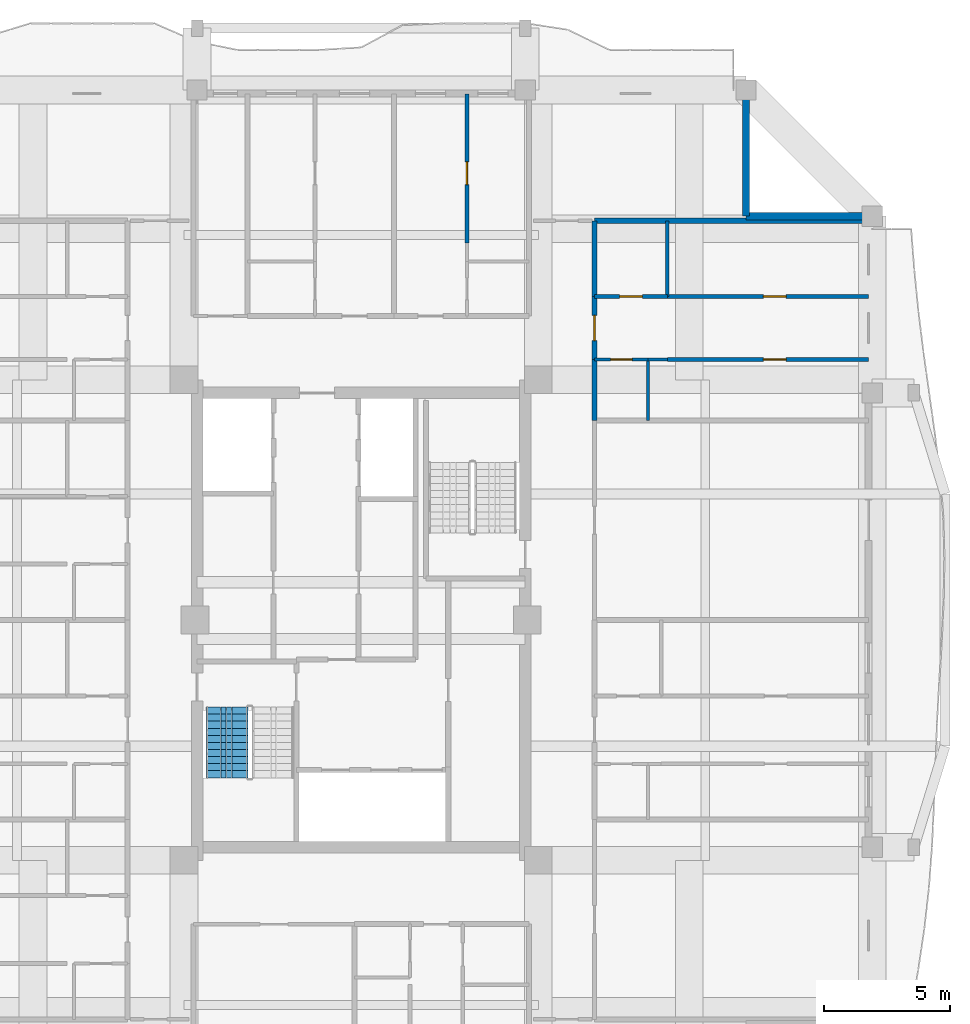
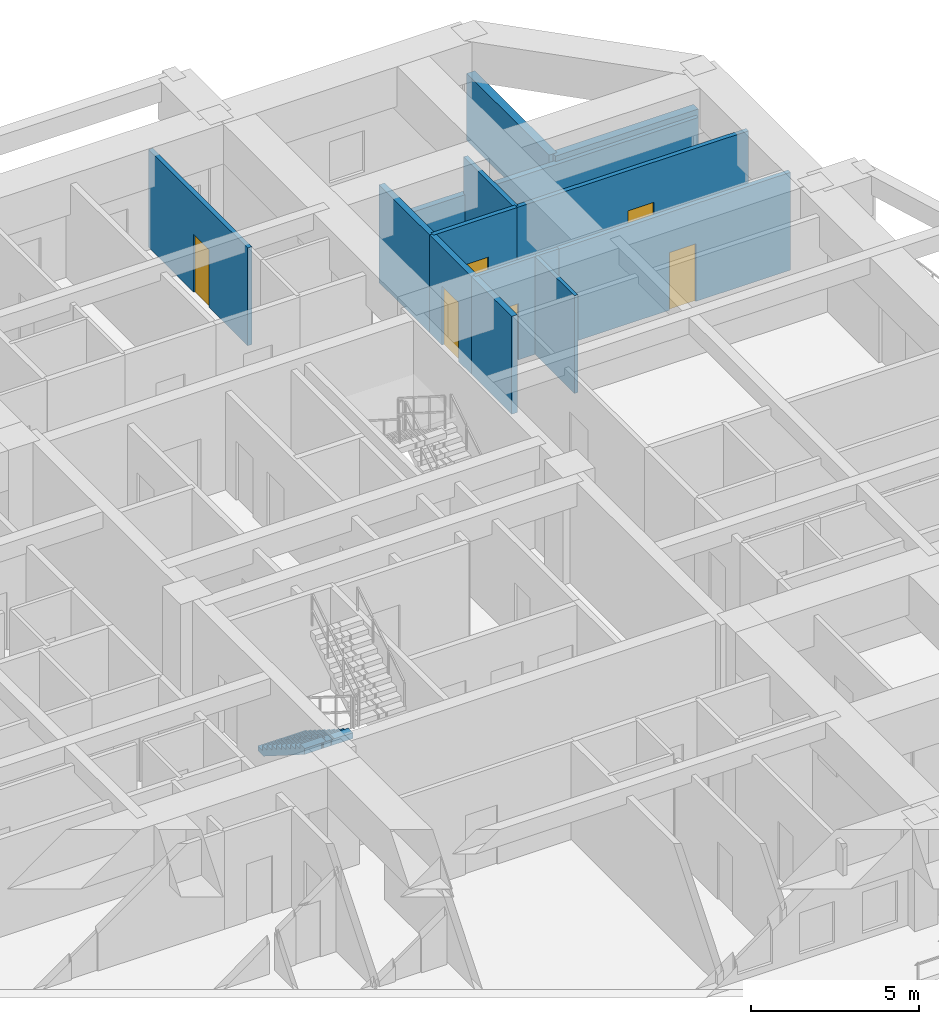
# One storey, part 7 of 13: 14 walls, 6 doors, 1 stair flight, 6 openings, 1 element without a shape of its own.
"""IFC4 building model written with IfcOpenShell, lengths in metres."""

from ifc_helpers import new_model, si_unit, direction, frame, frame_2d, origin, place, context, subcontext, project, spatial, polyline, rectangle, outline, extrude, source, transform, mapped, material, layer, layer_set, type_object, element, fill, aggregate, save


model = new_model("IFC4")

# Units and contexts
model_context = context("Model", 3, precision=1e-05, world=origin(), true_north=direction((0.0, 1.0)))
body_context = subcontext(model_context, "Body", "Model", "MODEL_VIEW")
ifc_project = project(units=[si_unit("LENGTHUNIT", "METRE"), si_unit("AREAUNIT", "SQUARE_METRE"), si_unit("VOLUMEUNIT", "CUBIC_METRE"), si_unit("PLANEANGLEUNIT", "RADIAN"), si_unit("MASSUNIT", "GRAM", prefix="KILO")], contexts=[model_context])

# Site, building, storey
site_placement = place(None, origin())
site = spatial("IfcSite", under=ifc_project, at=site_placement, CompositionType="ELEMENT")
building_placement = place(site_placement, origin())
building = spatial("IfcBuilding", under=site, at=building_placement, Name="Saelheon Loggia Tower", CompositionType="ELEMENT")
storey_placement = place(building_placement, frame((0.0, 0.0, 192.699951171875)))
storey = spatial("IfcBuildingStorey", under=building, at=storey_placement, Name="L60", CompositionType="ELEMENT", Elevation=192.699951171875)

# Walls
ifc_material_1 = material(Name="Architectural Precast Concrete C40/50", Category="concrete")
ifc_layer_1 = layer(ifc_material_1, 0.280029296875)
ifc_layer_set_1 = layer_set([ifc_layer_1], Name="Architectural Precast Concrete C40/50")
wall_type_1 = type_object("IfcWallType", Name="Wall_Ext_Loggia_280", PredefinedType="SOLIDWALL", material=ifc_layer_set_1)
for number, where, z_axis, x_axis, name in (
    (1, (53.25, 43.0, 0.0), (0.0, 0.0, 1.0), (0.0, 1.0, 0.0), "L60 Corner Notch Precast Wall NE1"),
    (2, (53.25, 43.0, 0.0), (0.0, 0.0, 1.0), (1.0, 0.0, 0.0), "L60 Corner Notch Precast Wall NE2"),
):
    element("IfcWall", number, at=place(storey_placement, frame(where, z_axis=z_axis, x_axis=x_axis)), inside=storey, type_object=wall_type_1, Name=name, PredefinedType="SOLIDWALL", context=body_context, shape_type="SweptSolid", body=[
        extrude(rectangle(XDim=4.919921875, YDim=0.280029296875, at=frame_2d((2.4599609375, 0.0))), origin(), (0.0, 0.0, 1.0), 2.43994140625),
    ])

# Wall, opening, door
ifc_material_2 = material(Name="Lightweight Autoclaved Aerated Concrete Block and Acoustic Gypsum", Category="concrete")
ifc_layer_2 = layer(ifc_material_2, 0.14990234375)
ifc_layer_set_2 = layer_set([ifc_layer_2], Name="Lightweight Autoclaved Aerated Concrete Block and Acoustic Gypsum")
wall_type_2 = type_object("IfcWallType", Name="Wall_Part_150", PredefinedType="PARTITIONING", material=ifc_layer_set_2)
wall_1_placement = place(storey_placement, frame((42.18798828125, 41.929931640625, 0.0), z_axis=(0.0, 0.0, 1.0), x_axis=(0.0, 1.0, 0.0)))
wall_1 = element("IfcWall", 3, at=wall_1_placement, inside=storey, type_object=wall_type_2, Name="L60 N Partition U17", PredefinedType="PARTITIONING", context=body_context, shape_type="SweptSolid", body=[
    extrude(rectangle(XDim=5.920166015625, YDim=0.14990234375, at=frame_2d((2.9599609375, 0.0))), origin(), (0.0, 0.0, 1.0), 3.56005859375),
])
opening_1_placement = place(wall_1_placement, frame((2.32080078125, 0.0, 0.0)))
opening_1 = element("IfcOpeningElement", 4, at=opening_1_placement, cuts=wall_1, Name="Opening D-IN2", PredefinedType="OPENING", context=body_context, shape_type="SweptSolid", body=[
    extrude(rectangle(XDim=0.89990234375, YDim=2.10009765625, at=frame_2d((0.449951171875, 1.050048828125))), frame((0.0, 0.0869140625, 0.0), z_axis=(0.0, -1.0, 0.0), x_axis=(1.0, 0.0, 0.0)), (0.0, 0.0, 1.0), 0.173828125),
])
ifc_material_3 = material(Name="Engineered Oak Flush Door", Category="timber")
door_type_1 = type_object("IfcDoorType", Name="Door_Int_900", OperationType="NOTDEFINED", PredefinedType="DOOR", material=ifc_material_3)
shared_shape_1 = source(origin(), body_context, "Body", "SweptSolid", [
    extrude(rectangle(XDim=0.89990234375, YDim=2.10009765625, at=frame_2d((0.449951171875, 1.050048828125))), frame((0.0, 0.02490234375, 0.0), z_axis=(0.0, -1.0, 0.0), x_axis=(1.0, 0.0, 0.0)), (0.0, 0.0, 1.0), 0.050048828125),
])
door_1_placement = place(opening_1_placement, origin())
door_1 = element("IfcDoor", 5, at=door_1_placement, inside=storey, type_object=door_type_1, Name="Unit U03 Kitchen Door", OperationType="SINGLE_SWING_LEFT", OverallHeight=2.10009765625, OverallWidth=0.89990234375, PredefinedType="DOOR", context=body_context, shape_type="MappedRepresentation", body=[
    mapped(shared_shape_1, transform((0.0, 0.0, 0.0), scale=1.0)),
])
fill(opening_1, door_1)

# Wall
wall_2_placement = place(storey_placement, frame((50.1298828125, 39.814208984375, 0.0), z_axis=(0.0, 0.0, 1.0), x_axis=(0.0, 1.0, 0.0)))
element("IfcWall", 6, at=wall_2_placement, inside=storey, type_object=wall_type_2, Name="L60 E Partition V22", PredefinedType="PARTITIONING", context=body_context, shape_type="SweptSolid", body=[
    extrude(rectangle(XDim=3.005859375, YDim=0.14990234375, at=frame_2d((1.5029296875, 0.0))), origin(), (0.0, 0.0, 1.0), 3.56005859375),
])

# Wall, opening, door
wall_3_placement = place(storey_placement, frame((50.1298828125, 37.320068359375, 0.0), z_axis=(0.0, 0.0, 1.0), x_axis=(1.0, 0.0, 0.0)))
wall_3 = element("IfcWall", 7, at=wall_3_placement, inside=storey, type_object=wall_type_2, Name="L60 E Partition U25", PredefinedType="PARTITIONING", context=body_context, shape_type="SweptSolid", body=[
    extrude(rectangle(XDim=7.97021484375, YDim=0.14990234375, at=frame_2d((3.985107421875, 0.0))), origin(), (0.0, 0.0, 1.0), 3.56005859375),
])
opening_2_placement = place(wall_3_placement, frame((3.8095703125, 0.0, 0.0)))
opening_2 = element("IfcOpeningElement", 8, at=opening_2_placement, cuts=wall_3, Name="Opening D-IN2", PredefinedType="OPENING", context=body_context, shape_type="SweptSolid", body=[
    extrude(rectangle(XDim=0.89990234375, YDim=2.10009765625, at=frame_2d((0.449951171875, 1.050048828125))), frame((0.0, 0.0869140625, 0.0), z_axis=(0.0, -1.0, 0.0), x_axis=(1.0, 0.0, 0.0)), (0.0, 0.0, 1.0), 0.173828125),
])
door_2_placement = place(opening_2_placement, origin())
door_2 = element("IfcDoor", 9, at=door_2_placement, inside=storey, type_object=door_type_1, Name="Unit U09 Kitchen Door", OperationType="SINGLE_SWING_LEFT", OverallHeight=2.10009765625, OverallWidth=0.89990234375, PredefinedType="DOOR", context=body_context, shape_type="MappedRepresentation", body=[
    mapped(shared_shape_1, transform((0.0, 0.0, 0.0), scale=1.0)),
])
fill(opening_2, door_2)

wall_4_placement = place(storey_placement, frame((47.25, 39.814208984375, 0.0), z_axis=(0.0, 0.0, 1.0), x_axis=(1.0, 0.0, 0.0)))
wall_4 = element("IfcWall", 10, at=wall_4_placement, inside=storey, type_object=wall_type_2, Name="L60 E Partition U26", PredefinedType="PARTITIONING", context=body_context, shape_type="SweptSolid", body=[
    extrude(rectangle(XDim=2.8798828125, YDim=0.14990234375, at=frame_2d((1.43994140625, 0.0))), origin(), (0.0, 0.0, 1.0), 3.56005859375),
])
opening_3_placement = place(wall_4_placement, frame((0.989990234375, 0.0, 0.0)))
opening_3 = element("IfcOpeningElement", 11, at=opening_3_placement, cuts=wall_4, Name="Opening D-IN2", PredefinedType="OPENING", context=body_context, shape_type="SweptSolid", body=[
    extrude(rectangle(XDim=0.89990234375, YDim=2.10009765625, at=frame_2d((0.449951171875, 1.050048828125))), frame((0.0, 0.0869140625, 0.0), z_axis=(0.0, -1.0, 0.0), x_axis=(1.0, 0.0, 0.0)), (0.0, 0.0, 1.0), 0.173828125),
])
door_3_placement = place(opening_3_placement, origin())
door_3 = element("IfcDoor", 12, at=door_3_placement, inside=storey, type_object=door_type_1, Name="Unit U09 Dressing Closet Door", OperationType="SINGLE_SWING_RIGHT", OverallHeight=2.10009765625, OverallWidth=0.89990234375, PredefinedType="DOOR", context=body_context, shape_type="MappedRepresentation", body=[
    mapped(shared_shape_1, transform((0.0, 0.0, 0.0), scale=1.0)),
])
fill(opening_3, door_3)

wall_5_placement = place(storey_placement, frame((50.1298828125, 39.814208984375, 0.0), z_axis=(0.0, 0.0, 1.0), x_axis=(1.0, 0.0, 0.0)))
wall_5 = element("IfcWall", 13, at=wall_5_placement, inside=storey, type_object=wall_type_2, Name="L60 E Partition U27", PredefinedType="PARTITIONING", context=body_context, shape_type="SweptSolid", body=[
    extrude(rectangle(XDim=7.97021484375, YDim=0.14990234375, at=frame_2d((3.985107421875, 0.0))), origin(), (0.0, 0.0, 1.0), 3.56005859375),
])
opening_4_placement = place(wall_5_placement, frame((3.8095703125, 0.0, 0.0)))
opening_4 = element("IfcOpeningElement", 14, at=opening_4_placement, cuts=wall_5, Name="Opening D-IN2", PredefinedType="OPENING", context=body_context, shape_type="SweptSolid", body=[
    extrude(rectangle(XDim=0.89990234375, YDim=2.10009765625, at=frame_2d((0.449951171875, 1.050048828125))), frame((0.0, 0.0869140625, 0.0), z_axis=(0.0, -1.0, 0.0), x_axis=(1.0, 0.0, 0.0)), (0.0, 0.0, 1.0), 0.173828125),
])
door_4_placement = place(opening_4_placement, origin())
door_4 = element("IfcDoor", 15, at=door_4_placement, inside=storey, type_object=door_type_1, Name="Unit U09 Bedroom 1 Door", OperationType="SINGLE_SWING_LEFT", OverallHeight=2.10009765625, OverallWidth=0.89990234375, PredefinedType="DOOR", context=body_context, shape_type="MappedRepresentation", body=[
    mapped(shared_shape_1, transform((0.0, 0.0, 0.0), scale=1.0)),
])
fill(opening_4, door_4)

# Walls
ifc_material_4 = material(Name="Double Acoustic Stud and Fireboard Partition", Category="gypsum")
ifc_layer_3 = layer(ifc_material_4, 0.199951171875)
ifc_layer_set_3 = layer_set([ifc_layer_3], Name="Double Acoustic Stud and Fireboard Partition")
wall_type_3 = type_object("IfcWallType", Name="Wall_Party_200", PredefinedType="PARTITIONING", material=ifc_layer_set_3)
wall_6_placement = place(storey_placement, frame((47.25, 42.820068359375, 0.0), z_axis=(0.0, 0.0, 1.0), x_axis=(1.0, 0.0, 0.0)))
element("IfcWall", 16, at=wall_6_placement, inside=storey, type_object=wall_type_3, Name="L60 E Partition U02", PredefinedType="PARTITIONING", context=body_context, shape_type="SweptSolid", body=[
    extrude(rectangle(XDim=10.85009765625, YDim=0.199951171875, at=frame_2d((5.425048828125, 0.0))), origin(), (0.0, 0.0, 1.0), 2.239990234375),
])
wall_7_placement = place(storey_placement, frame((47.25, 34.909912109375, 0.0), z_axis=(0.0, 0.0, 1.0), x_axis=(0.0, 1.0, 0.0)))
element("IfcWall", 17, at=wall_7_placement, inside=storey, type_object=wall_type_3, Name="L60 E Partition V18", PredefinedType="PARTITIONING", context=body_context, shape_type="SweptSolid", body=[
    extrude(rectangle(XDim=2.41015625, YDim=0.199951171875, at=frame_2d((1.205078125, 0.0))), origin(), (0.0, 0.0, 1.0), 3.56005859375),
])

# Wall, opening, door
wall_8_placement = place(storey_placement, frame((47.25, 37.320068359375, 0.0), z_axis=(0.0, 0.0, 1.0), x_axis=(0.0, 1.0, 0.0)))
wall_8 = element("IfcWall", 18, at=wall_8_placement, inside=storey, type_object=wall_type_3, Name="L60 E Partition V19", PredefinedType="PARTITIONING", context=body_context, shape_type="SweptSolid", body=[
    extrude(rectangle(XDim=2.494140625, YDim=0.199951171875, at=frame_2d((1.2470703125, 0.0))), origin(), (0.0, 0.0, 1.0), 3.56005859375),
])
opening_5_placement = place(wall_8_placement, frame((0.7470703125, 0.0, 0.0)))
opening_5 = element("IfcOpeningElement", 19, at=opening_5_placement, cuts=wall_8, Name="Opening D-FD1", PredefinedType="OPENING", context=body_context, shape_type="SweptSolid", body=[
    extrude(rectangle(XDim=1.0, YDim=2.14990234375, at=frame_2d((0.5, 1.074951171875))), frame((0.0, 0.112060546875, 0.0), z_axis=(0.0, -1.0, 0.0), x_axis=(1.0, 0.0, 0.0)), (0.0, 0.0, 1.0), 0.223876953125),
])
ifc_material_5 = material(Name="Fire-Rated Engineered Timber Entrance Door", Category="wood")
door_type_2 = type_object("IfcDoorType", Name="Door_Flat_FD30S", OperationType="NOTDEFINED", PredefinedType="DOOR", material=ifc_material_5)
shared_shape_2 = source(origin(), body_context, "Body", "SweptSolid", [
    extrude(rectangle(XDim=1.0, YDim=2.14990234375, at=frame_2d((0.5, 1.074951171875))), frame((0.0, 0.02490234375, 0.0), z_axis=(0.0, -1.0, 0.0), x_axis=(1.0, 0.0, 0.0)), (0.0, 0.0, 1.0), 0.050048828125),
])
door_5_placement = place(opening_5_placement, origin())
door_5 = element("IfcDoor", 20, at=door_5_placement, inside=storey, type_object=door_type_2, Name="Unit U09 Entrance Door", OperationType="SINGLE_SWING_LEFT", OverallHeight=2.14990234375, OverallWidth=1.0, PredefinedType="DOOR", context=body_context, shape_type="MappedRepresentation", body=[
    mapped(shared_shape_2, transform((0.0, 0.0, 0.0), scale=1.0)),
])
fill(opening_5, door_5)

# Walls
wall_9_placement = place(storey_placement, frame((47.25, 39.814208984375, 0.0), z_axis=(0.0, 0.0, 1.0), x_axis=(0.0, 1.0, 0.0)))
element("IfcWall", 21, at=wall_9_placement, inside=storey, type_object=wall_type_3, Name="L60 E Partition V20", PredefinedType="PARTITIONING", context=body_context, shape_type="SweptSolid", body=[
    extrude(rectangle(XDim=3.005859375, YDim=0.199951171875, at=frame_2d((1.5029296875, 0.0))), origin(), (0.0, 0.0, 1.0), 3.56005859375),
])
ifc_material_6 = material(Name="Moisture-Resistant Cement Board Partition", Category="gypsum")
ifc_layer_4 = layer(ifc_material_6, 0.1201171875)
ifc_layer_set_4 = layer_set([ifc_layer_4], Name="Moisture-Resistant Cement Board Partition")
wall_type_4 = type_object("IfcWallType", Name="Wall_WetPart_120", PredefinedType="PARTITIONING", material=ifc_layer_set_4)
wall_10_placement = place(storey_placement, frame((49.3701171875, 34.909912109375, 0.0), z_axis=(0.0, 0.0, 1.0), x_axis=(0.0, 1.0, 0.0)))
element("IfcWall", 22, at=wall_10_placement, inside=storey, type_object=wall_type_4, Name="L60 E Partition V21", PredefinedType="PARTITIONING", context=body_context, shape_type="SweptSolid", body=[
    extrude(rectangle(XDim=2.41015625, YDim=0.1201171875, at=frame_2d((1.205078125, 0.0))), origin(), (0.0, 0.0, 1.0), 3.56005859375),
])

# Wall, opening, door
wall_11_placement = place(storey_placement, frame((47.25, 37.320068359375, 0.0), z_axis=(0.0, 0.0, 1.0), x_axis=(1.0, 0.0, 0.0)))
wall_11 = element("IfcWall", 23, at=wall_11_placement, inside=storey, type_object=wall_type_4, Name="L60 E Partition U23", PredefinedType="PARTITIONING", context=body_context, shape_type="SweptSolid", body=[
    extrude(rectangle(XDim=2.1201171875, YDim=0.1201171875, at=frame_2d((1.06005859375, 0.0))), origin(), (0.0, 0.0, 1.0), 3.56005859375),
])
opening_6_placement = place(wall_11_placement, frame((0.635009765625, 0.0, 0.0)))
opening_6 = element("IfcOpeningElement", 24, at=opening_6_placement, cuts=wall_11, Name="Opening D-BT1", PredefinedType="OPENING", context=body_context, shape_type="SweptSolid", body=[
    extrude(rectangle(XDim=0.85009765625, YDim=2.050048828125, at=frame_2d((0.425048828125, 1.02490234375))), frame((0.0, 0.072021484375, 0.0), z_axis=(0.0, -1.0, 0.0), x_axis=(1.0, 0.0, 0.0)), (0.0, 0.0, 1.0), 0.14404296875),
])
ifc_material_7 = material(Name="Moisture-Resistant Laminate Timber Door", Category="wood")
door_type_3 = type_object("IfcDoorType", Name="Door_Bath_850", OperationType="NOTDEFINED", PredefinedType="DOOR", material=ifc_material_7)
shared_shape_3 = source(origin(), body_context, "Body", "SweptSolid", [
    extrude(rectangle(XDim=0.85009765625, YDim=2.050048828125, at=frame_2d((0.425048828125, 1.02490234375))), frame((0.0, 0.02490234375, 0.0), z_axis=(0.0, -1.0, 0.0), x_axis=(1.0, 0.0, 0.0)), (0.0, 0.0, 1.0), 0.050048828125),
])
door_6_placement = place(opening_6_placement, origin())
door_6 = element("IfcDoor", 25, at=door_6_placement, inside=storey, type_object=door_type_3, Name="Unit U09 Bathroom Door", OperationType="SINGLE_SWING_RIGHT", OverallHeight=2.050048828125, OverallWidth=0.85009765625, PredefinedType="DOOR", context=body_context, shape_type="MappedRepresentation", body=[
    mapped(shared_shape_3, transform((0.0, 0.0, 0.0), scale=1.0)),
])
fill(opening_6, door_6)

# Wall
wall_12_placement = place(storey_placement, frame((49.3701171875, 37.320068359375, 0.0), z_axis=(0.0, 0.0, 1.0), x_axis=(1.0, 0.0, 0.0)))
element("IfcWall", 26, at=wall_12_placement, inside=storey, type_object=wall_type_4, Name="L60 E Partition U24", PredefinedType="PARTITIONING", context=body_context, shape_type="SweptSolid", body=[
    extrude(rectangle(XDim=0.759765625, YDim=0.1201171875, at=frame_2d((0.3798828125, 0.0))), origin(), (0.0, 0.0, 1.0), 3.56005859375),
])

# Stair, stair flight
ifc_material_8 = material(Name="Concrete C40/50", Category="concrete")
stair_type = type_object("IfcStairType", Name="Stair_Escape_Core", PredefinedType="HALF_TURN_STAIR", material=ifc_material_8)
stair_placement = place(storey_placement, origin())
stair = element("IfcStair", 27, at=stair_placement, inside=storey, type_object=stair_type, Name="L60 Special Escape Stair ST1", PredefinedType="HALF_TURN_STAIR")
stair_flight_type = type_object("IfcStairFlightType", Name="StairFlight_Tower_1660", PredefinedType="STRAIGHT", material=ifc_material_8)
stair_flight_placement = place(storey_placement, frame((32.679931640625, 23.550048828125, 0.0), z_axis=(0.0, 0.0, 1.0), x_axis=(0.0, -1.0, 0.0)))
stair_flight = element("IfcStairFlight", 28, at=stair_flight_placement, type_object=stair_flight_type, Name="ST1 flight 1", NumberOfRisers=11, NumberOfTreads=10, PredefinedType="STRAIGHT", RiserHeight=0.177272727, TreadLength=0.28, context=body_context, shape_type="SweptSolid", body=[
    extrude(outline(polyline([(0.0, 0.0), (0.0, 0.17724609375), (0.280029296875, 0.17724609375), (0.280029296875, 0.3544921875), (0.56005859375, 0.3544921875), (0.56005859375, 0.53173828125), (0.840087890625, 0.53173828125), (0.840087890625, 0.708984375), (1.1201171875, 0.708984375), (1.1201171875, 0.886474609375), (1.39990234375, 0.886474609375), (1.39990234375, 1.063720703125), (1.679931640625, 1.063720703125), (1.679931640625, 1.240966796875), (1.9599609375, 1.240966796875), (1.9599609375, 1.418212890625), (2.239990234375, 1.418212890625), (2.239990234375, 1.595458984375), (2.52001953125, 1.595458984375), (2.52001953125, 1.772705078125), (2.800048828125, 1.772705078125), (2.800048828125, 1.949951171875), (2.800048828125, 1.559814453125), (0.33642578125, 0.0), (0.0, 0.0)])), frame((0.0, -0.2490234375, 0.0), z_axis=(0.0, -1.0, 0.0), x_axis=(1.0, 0.0, 0.0)), (0.0, 0.0, 1.0), 0.5810546875),
    extrude(outline(polyline([(0.0, 0.0), (0.0, 0.17724609375), (0.280029296875, 0.17724609375), (0.280029296875, 0.3544921875), (0.56005859375, 0.3544921875), (0.56005859375, 0.53173828125), (0.840087890625, 0.53173828125), (0.840087890625, 0.708984375), (1.1201171875, 0.708984375), (1.1201171875, 0.886474609375), (1.39990234375, 0.886474609375), (1.39990234375, 1.063720703125), (1.679931640625, 1.063720703125), (1.679931640625, 1.240966796875), (1.9599609375, 1.240966796875), (1.9599609375, 1.418212890625), (2.239990234375, 1.418212890625), (2.239990234375, 1.595458984375), (2.52001953125, 1.595458984375), (2.52001953125, 1.772705078125), (2.800048828125, 1.772705078125), (2.800048828125, 1.949951171875), (2.800048828125, 1.559814453125), (0.33642578125, 0.0), (0.0, 0.0)])), frame((0.0, -0.194091796875, 0.0), z_axis=(0.0, -1.0, 0.0), x_axis=(1.0, 0.0, 0.0)), (0.0, 0.0, 1.0), 0.0498046875),
    extrude(outline(polyline([(0.0, 0.0), (0.0, 0.17724609375), (0.280029296875, 0.17724609375), (0.280029296875, 0.3544921875), (0.56005859375, 0.3544921875), (0.56005859375, 0.53173828125), (0.840087890625, 0.53173828125), (0.840087890625, 0.708984375), (1.1201171875, 0.708984375), (1.1201171875, 0.886474609375), (1.39990234375, 0.886474609375), (1.39990234375, 1.063720703125), (1.679931640625, 1.063720703125), (1.679931640625, 1.240966796875), (1.9599609375, 1.240966796875), (1.9599609375, 1.418212890625), (2.239990234375, 1.418212890625), (2.239990234375, 1.595458984375), (2.52001953125, 1.595458984375), (2.52001953125, 1.772705078125), (2.800048828125, 1.772705078125), (2.800048828125, 1.949951171875), (2.800048828125, 1.559814453125), (0.33642578125, 0.0), (0.0, 0.0)])), frame((0.0, -0.139404296875, 0.0), z_axis=(0.0, -1.0, 0.0), x_axis=(1.0, 0.0, 0.0)), (0.0, 0.0, 1.0), 0.0498046875),
    extrude(outline(polyline([(0.0, 0.0), (0.0, 0.17724609375), (0.280029296875, 0.17724609375), (0.280029296875, 0.3544921875), (0.56005859375, 0.3544921875), (0.56005859375, 0.53173828125), (0.840087890625, 0.53173828125), (0.840087890625, 0.708984375), (1.1201171875, 0.708984375), (1.1201171875, 0.886474609375), (1.39990234375, 0.886474609375), (1.39990234375, 1.063720703125), (1.679931640625, 1.063720703125), (1.679931640625, 1.240966796875), (1.9599609375, 1.240966796875), (1.9599609375, 1.418212890625), (2.239990234375, 1.418212890625), (2.239990234375, 1.595458984375), (2.52001953125, 1.595458984375), (2.52001953125, 1.772705078125), (2.800048828125, 1.772705078125), (2.800048828125, 1.949951171875), (2.800048828125, 1.559814453125), (0.33642578125, 0.0), (0.0, 0.0)])), frame((0.0, -0.084716796875, 0.0), z_axis=(0.0, -1.0, 0.0), x_axis=(1.0, 0.0, 0.0)), (0.0, 0.0, 1.0), 0.0498046875),
    extrude(outline(polyline([(0.0, 0.0), (0.0, 0.17724609375), (0.280029296875, 0.17724609375), (0.280029296875, 0.3544921875), (0.56005859375, 0.3544921875), (0.56005859375, 0.53173828125), (0.840087890625, 0.53173828125), (0.840087890625, 0.708984375), (1.1201171875, 0.708984375), (1.1201171875, 0.886474609375), (1.39990234375, 0.886474609375), (1.39990234375, 1.063720703125), (1.679931640625, 1.063720703125), (1.679931640625, 1.240966796875), (1.9599609375, 1.240966796875), (1.9599609375, 1.418212890625), (2.239990234375, 1.418212890625), (2.239990234375, 1.595458984375), (2.52001953125, 1.595458984375), (2.52001953125, 1.772705078125), (2.800048828125, 1.772705078125), (2.800048828125, 1.949951171875), (2.800048828125, 1.559814453125), (0.33642578125, 0.0), (0.0, 0.0)])), frame((0.0, -0.02978515625, 0.0), z_axis=(0.0, -1.0, 0.0), x_axis=(1.0, 0.0, 0.0)), (0.0, 0.0, 1.0), 0.0498046875),
    extrude(outline(polyline([(0.0, 0.0), (0.0, 0.17724609375), (0.280029296875, 0.17724609375), (0.280029296875, 0.3544921875), (0.56005859375, 0.3544921875), (0.56005859375, 0.53173828125), (0.840087890625, 0.53173828125), (0.840087890625, 0.708984375), (1.1201171875, 0.708984375), (1.1201171875, 0.886474609375), (1.39990234375, 0.886474609375), (1.39990234375, 1.063720703125), (1.679931640625, 1.063720703125), (1.679931640625, 1.240966796875), (1.9599609375, 1.240966796875), (1.9599609375, 1.418212890625), (2.239990234375, 1.418212890625), (2.239990234375, 1.595458984375), (2.52001953125, 1.595458984375), (2.52001953125, 1.772705078125), (2.800048828125, 1.772705078125), (2.800048828125, 1.949951171875), (2.800048828125, 1.559814453125), (0.33642578125, 0.0), (0.0, 0.0)])), frame((0.0, 0.02490234375, 0.0), z_axis=(0.0, -1.0, 0.0), x_axis=(1.0, 0.0, 0.0)), (0.0, 0.0, 1.0), 0.0498046875),
    extrude(outline(polyline([(0.0, 0.0), (0.0, 0.17724609375), (0.280029296875, 0.17724609375), (0.280029296875, 0.3544921875), (0.56005859375, 0.3544921875), (0.56005859375, 0.53173828125), (0.840087890625, 0.53173828125), (0.840087890625, 0.708984375), (1.1201171875, 0.708984375), (1.1201171875, 0.886474609375), (1.39990234375, 0.886474609375), (1.39990234375, 1.063720703125), (1.679931640625, 1.063720703125), (1.679931640625, 1.240966796875), (1.9599609375, 1.240966796875), (1.9599609375, 1.418212890625), (2.239990234375, 1.418212890625), (2.239990234375, 1.595458984375), (2.52001953125, 1.595458984375), (2.52001953125, 1.772705078125), (2.800048828125, 1.772705078125), (2.800048828125, 1.949951171875), (2.800048828125, 1.559814453125), (0.33642578125, 0.0), (0.0, 0.0)])), frame((0.0, 0.07958984375, 0.0), z_axis=(0.0, -1.0, 0.0), x_axis=(1.0, 0.0, 0.0)), (0.0, 0.0, 1.0), 0.0498046875),
    extrude(outline(polyline([(0.0, 0.0), (0.0, 0.17724609375), (0.280029296875, 0.17724609375), (0.280029296875, 0.3544921875), (0.56005859375, 0.3544921875), (0.56005859375, 0.53173828125), (0.840087890625, 0.53173828125), (0.840087890625, 0.708984375), (1.1201171875, 0.708984375), (1.1201171875, 0.886474609375), (1.39990234375, 0.886474609375), (1.39990234375, 1.063720703125), (1.679931640625, 1.063720703125), (1.679931640625, 1.240966796875), (1.9599609375, 1.240966796875), (1.9599609375, 1.418212890625), (2.239990234375, 1.418212890625), (2.239990234375, 1.595458984375), (2.52001953125, 1.595458984375), (2.52001953125, 1.772705078125), (2.800048828125, 1.772705078125), (2.800048828125, 1.949951171875), (2.800048828125, 1.559814453125), (0.33642578125, 0.0), (0.0, 0.0)])), frame((0.0, 0.134521484375, 0.0), z_axis=(0.0, -1.0, 0.0), x_axis=(1.0, 0.0, 0.0)), (0.0, 0.0, 1.0), 0.0498046875),
    extrude(outline(polyline([(0.0, 0.0), (0.0, 0.17724609375), (0.280029296875, 0.17724609375), (0.280029296875, 0.3544921875), (0.56005859375, 0.3544921875), (0.56005859375, 0.53173828125), (0.840087890625, 0.53173828125), (0.840087890625, 0.708984375), (1.1201171875, 0.708984375), (1.1201171875, 0.886474609375), (1.39990234375, 0.886474609375), (1.39990234375, 1.063720703125), (1.679931640625, 1.063720703125), (1.679931640625, 1.240966796875), (1.9599609375, 1.240966796875), (1.9599609375, 1.418212890625), (2.239990234375, 1.418212890625), (2.239990234375, 1.595458984375), (2.52001953125, 1.595458984375), (2.52001953125, 1.772705078125), (2.800048828125, 1.772705078125), (2.800048828125, 1.949951171875), (2.800048828125, 1.559814453125), (0.33642578125, 0.0), (0.0, 0.0)])), frame((0.0, 0.189208984375, 0.0), z_axis=(0.0, -1.0, 0.0), x_axis=(1.0, 0.0, 0.0)), (0.0, 0.0, 1.0), 0.0498046875),
    extrude(outline(polyline([(0.0, 0.0), (0.0, 0.17724609375), (0.280029296875, 0.17724609375), (0.280029296875, 0.3544921875), (0.56005859375, 0.3544921875), (0.56005859375, 0.53173828125), (0.840087890625, 0.53173828125), (0.840087890625, 0.708984375), (1.1201171875, 0.708984375), (1.1201171875, 0.886474609375), (1.39990234375, 0.886474609375), (1.39990234375, 1.063720703125), (1.679931640625, 1.063720703125), (1.679931640625, 1.240966796875), (1.9599609375, 1.240966796875), (1.9599609375, 1.418212890625), (2.239990234375, 1.418212890625), (2.239990234375, 1.595458984375), (2.52001953125, 1.595458984375), (2.52001953125, 1.772705078125), (2.800048828125, 1.772705078125), (2.800048828125, 1.949951171875), (2.800048828125, 1.559814453125), (0.33642578125, 0.0), (0.0, 0.0)])), frame((0.0, 0.243896484375, 0.0), z_axis=(0.0, -1.0, 0.0), x_axis=(1.0, 0.0, 0.0)), (0.0, 0.0, 1.0), 0.0498046875),
    extrude(outline(polyline([(0.0, 0.0), (0.0, 0.17724609375), (0.280029296875, 0.17724609375), (0.280029296875, 0.3544921875), (0.56005859375, 0.3544921875), (0.56005859375, 0.53173828125), (0.840087890625, 0.53173828125), (0.840087890625, 0.708984375), (1.1201171875, 0.708984375), (1.1201171875, 0.886474609375), (1.39990234375, 0.886474609375), (1.39990234375, 1.063720703125), (1.679931640625, 1.063720703125), (1.679931640625, 1.240966796875), (1.9599609375, 1.240966796875), (1.9599609375, 1.418212890625), (2.239990234375, 1.418212890625), (2.239990234375, 1.595458984375), (2.52001953125, 1.595458984375), (2.52001953125, 1.772705078125), (2.800048828125, 1.772705078125), (2.800048828125, 1.949951171875), (2.800048828125, 1.559814453125), (0.33642578125, 0.0), (0.0, 0.0)])), frame((0.0, 0.830078125, 0.0), z_axis=(0.0, -1.0, 0.0), x_axis=(1.0, 0.0, 0.0)), (0.0, 0.0, 1.0), 0.5810546875),
])
aggregate(stair, [stair_flight])

save(model, "model.ifc")
